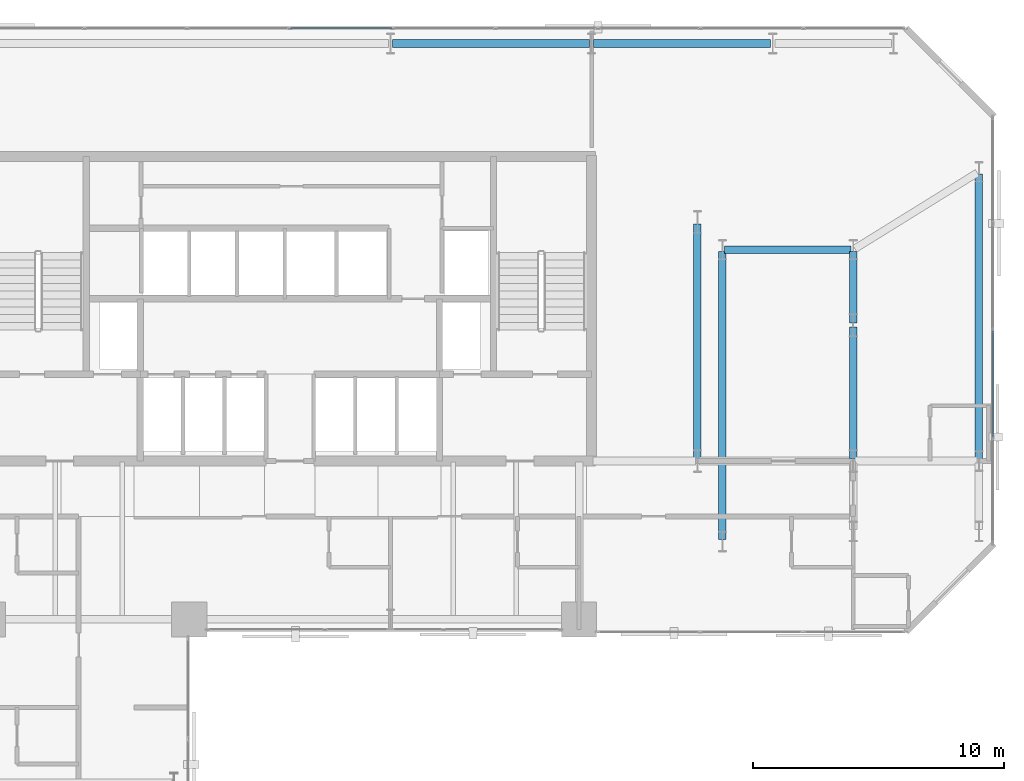
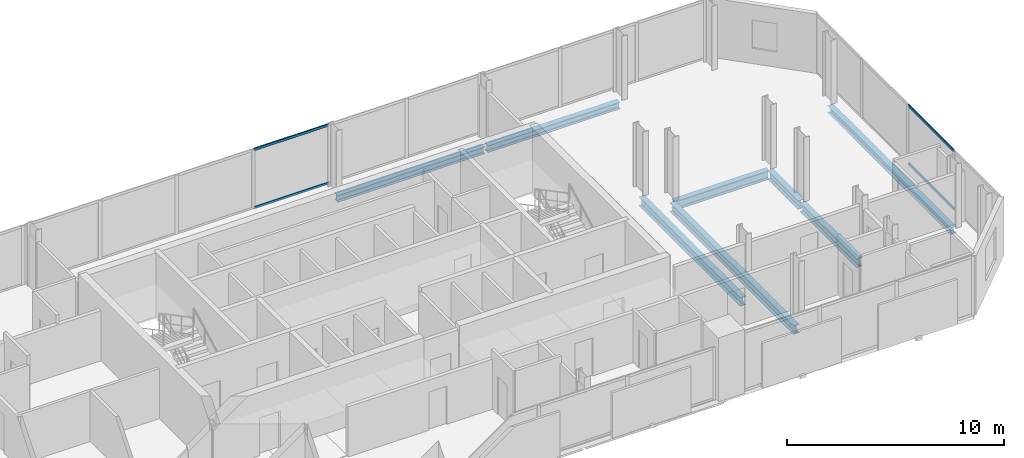
# One storey, part 24 of 33: 8 beams, 4 members, 2 elements without a shape of their own.
"""IFC4 building model written with IfcOpenShell, lengths in metres."""

from ifc_helpers import new_model, si_unit, direction, frame, origin, origin_2d, place, context, subcontext, project, spatial, hollow_rectangle, i_section, extrude, material, layer, layer_set, material_profile, profile_set, type_object, element, aggregate, save


model = new_model("IFC4")

# Units and contexts
model_context = context("Model", 3, precision=1e-05, world=origin(), true_north=direction((0.0, 1.0)))
body_context = subcontext(model_context, "Body", "Model", "MODEL_VIEW")
ifc_project = project(units=[si_unit("LENGTHUNIT", "METRE"), si_unit("AREAUNIT", "SQUARE_METRE"), si_unit("VOLUMEUNIT", "CUBIC_METRE"), si_unit("PLANEANGLEUNIT", "RADIAN"), si_unit("MASSUNIT", "GRAM", prefix="KILO")], contexts=[model_context])

# Site, building, storey
site_placement = place(None, origin())
site = spatial("IfcSite", under=ifc_project, at=site_placement, CompositionType="ELEMENT")
building_placement = place(site_placement, origin())
building = spatial("IfcBuilding", under=site, at=building_placement, Name="Catumbela Crestline Tower", CompositionType="ELEMENT")
storey_placement = place(building_placement, frame((0.0, 0.0, 47.4)))
storey = spatial("IfcBuildingStorey", under=building, at=storey_placement, Name="L11", CompositionType="ELEMENT", Elevation=47.4)

# Beams
ifc_material_1 = material(Name="Structural steel S355J2", Category="steel")
ifc_material_profile_1 = material_profile(ifc_material_1, i_section(OverallWidth=0.3, OverallDepth=0.5, WebThickness=0.0145, FlangeThickness=0.028, FilletRadius=0.027, at=origin_2d()), Name="HEB 500")
ifc_profile_set_1 = profile_set([ifc_material_profile_1], Name="Structural steel S355J2")
beam_type_1 = type_object("IfcBeamType", Name="BG-HEB500", PredefinedType="BEAM", material=ifc_profile_set_1)
beam_1_placement = place(storey_placement, frame((45.28, 39.2, -0.51), z_axis=(1.0, 0.0, 0.0), x_axis=(0.0, 1.0, 0.0)))
element("IfcBeam", 1, at=beam_1_placement, inside=storey, type_object=beam_type_1, Name="L11 Beam BM-L11-N17", PredefinedType="BEAM", context=body_context, shape_type="SweptSolid", body=[
    extrude(i_section(OverallWidth=0.3, OverallDepth=0.5, WebThickness=0.0145, FlangeThickness=0.028, FilletRadius=0.027, at=origin_2d()), origin(), (0.0, 0.0, 1.0), 5.04),
])
beam_2_placement = place(storey_placement, frame((44.2, 30.88, -0.51), z_axis=(0.0, 1.0, 0.0), x_axis=(-1.0, 0.0, 0.0)))
element("IfcBeam", 2, at=beam_2_placement, inside=storey, type_object=beam_type_1, Name="L11 Beam BM-L11-SN35", PredefinedType="BEAM", context=body_context, shape_type="SweptSolid", body=[
    extrude(i_section(OverallWidth=0.3, OverallDepth=0.5, WebThickness=0.0145, FlangeThickness=0.028, FilletRadius=0.027, at=origin_2d()), origin(), (0.0, 0.0, 1.0), 9.34),
])
beam_3_placement = place(storey_placement, frame((45.2, 27.68, -0.51), z_axis=(0.0, 1.0, 0.0), x_axis=(-1.0, 0.0, 0.0)))
element("IfcBeam", 3, at=beam_3_placement, inside=storey, type_object=beam_type_1, Name="L11 Beam BM-L11-SN36", PredefinedType="BEAM", context=body_context, shape_type="SweptSolid", body=[
    extrude(i_section(OverallWidth=0.3, OverallDepth=0.5, WebThickness=0.0145, FlangeThickness=0.028, FilletRadius=0.027, at=origin_2d()), origin(), (0.0, 0.0, 1.0), 11.44),
])
beam_4_placement = place(storey_placement, frame((50.4, 30.88, -0.51), z_axis=(0.0, 1.0, 0.0), x_axis=(-1.0, 0.0, 0.0)))
element("IfcBeam", 4, at=beam_4_placement, inside=storey, type_object=beam_type_1, Name="L11 Beam BM-L11-SN38", PredefinedType="BEAM", context=body_context, shape_type="SweptSolid", body=[
    extrude(i_section(OverallWidth=0.3, OverallDepth=0.5, WebThickness=0.0145, FlangeThickness=0.028, FilletRadius=0.027, at=origin_2d()), origin(), (0.0, 0.0, 1.0), 5.24),
])
beam_5_placement = place(storey_placement, frame((50.4, 36.28, -0.51), z_axis=(0.0, 1.0, 0.0), x_axis=(-1.0, 0.0, 0.0)))
element("IfcBeam", 5, at=beam_5_placement, inside=storey, type_object=beam_type_1, Name="L11 Beam BM-L11-SN39", PredefinedType="BEAM", context=body_context, shape_type="SweptSolid", body=[
    extrude(i_section(OverallWidth=0.3, OverallDepth=0.5, WebThickness=0.0145, FlangeThickness=0.028, FilletRadius=0.027, at=origin_2d()), origin(), (0.0, 0.0, 1.0), 2.84),
])
ifc_material_profile_2 = material_profile(ifc_material_1, i_section(OverallWidth=0.3, OverallDepth=0.39, WebThickness=0.011, FlangeThickness=0.019, FilletRadius=0.027, at=origin_2d()), Name="HEA 400")
ifc_profile_set_2 = profile_set([ifc_material_profile_2], Name="Structural steel S355J2")
beam_type_2 = type_object("IfcBeamType", Name="BS-HEA400", PredefinedType="SPANDREL", material=ifc_profile_set_2)
beam_6_placement = place(storey_placement, frame((32.08, 47.4, -0.455), z_axis=(1.0, 0.0, 0.0), x_axis=(0.0, 1.0, 0.0)))
element("IfcBeam", 6, at=beam_6_placement, inside=storey, type_object=beam_type_2, Name="L11 Spandrel SP-L11-NF22", PredefinedType="SPANDREL", context=body_context, shape_type="SweptSolid", body=[
    extrude(i_section(OverallWidth=0.3, OverallDepth=0.39, WebThickness=0.011, FlangeThickness=0.019, FilletRadius=0.027, at=origin_2d()), origin(), (0.0, 0.0, 1.0), 7.84),
])
beam_7_placement = place(storey_placement, frame((40.08, 47.4, -0.455), z_axis=(1.0, 0.0, 0.0), x_axis=(0.0, 1.0, 0.0)))
element("IfcBeam", 7, at=beam_7_placement, inside=storey, type_object=beam_type_2, Name="L11 Spandrel SP-L11-NF23", PredefinedType="SPANDREL", context=body_context, shape_type="SweptSolid", body=[
    extrude(i_section(OverallWidth=0.3, OverallDepth=0.39, WebThickness=0.011, FlangeThickness=0.019, FilletRadius=0.027, at=origin_2d()), origin(), (0.0, 0.0, 1.0), 7.04),
])
beam_8_placement = place(storey_placement, frame((55.4, 30.88, -0.455), z_axis=(0.0, 1.0, 0.0), x_axis=(-1.0, 0.0, 0.0)))
element("IfcBeam", 8, at=beam_8_placement, inside=storey, type_object=beam_type_2, Name="L11 Spandrel SP-L11-SN41", PredefinedType="SPANDREL", context=body_context, shape_type="SweptSolid", body=[
    extrude(i_section(OverallWidth=0.3, OverallDepth=0.39, WebThickness=0.011, FlangeThickness=0.019, FilletRadius=0.027, at=origin_2d()), origin(), (0.0, 0.0, 1.0), 11.34),
])

# Curtain wall, members
ifc_material_2 = material(Name="Aluminium alloy AW-6060-T66", Category="aluminium")
ifc_layer = layer(ifc_material_2, 0.18, Name="Aluminium alloy AW-6060-T66")
ifc_layer_set = layer_set([ifc_layer], Name="Aluminium alloy AW-6060-T66")
curtain_wall_type = type_object("IfcCurtainWallType", Name="CWU-Z1", PredefinedType="USERDEFINED", material=ifc_layer_set)
curtain_wall_1_placement = place(storey_placement, origin())
curtain_wall_1 = element("IfcCurtainWall", 9, at=curtain_wall_1_placement, inside=storey, type_object=curtain_wall_type, Name="L11 Unitised Curtain Wall CW-L11-E5S1", ObjectType="UNITISED", PredefinedType="USERDEFINED")
ifc_material_profile_3 = material_profile(ifc_material_2, hollow_rectangle(XDim=0.06, YDim=0.14, WallThickness=0.004, at=origin_2d()), Name="ALU 140x60x4")
ifc_profile_set_3 = profile_set([ifc_material_profile_3], Name="Aluminium alloy AW-6060-T66")
member_type = type_object("IfcMemberType", Name="TRN-140X60", PredefinedType="USERDEFINED", material=ifc_profile_set_3)
member_1_placement = place(storey_placement, frame((55.95, 31.7825, 0.03), z_axis=(0.0, 1.0, 0.0), x_axis=(-1.0, 0.0, 0.0)))
member_1 = element("IfcMember", 10, at=member_1_placement, type_object=member_type, Name="CWU-Z1 transom 2.1", ObjectType="TRANSOM", PredefinedType="USERDEFINED", context=body_context, shape_type="SweptSolid", body=[
    extrude(hollow_rectangle(XDim=0.06, YDim=0.14, WallThickness=0.004, at=origin_2d()), origin(), (0.0, 0.0, 1.0), 4.185),
])
member_2_placement = place(storey_placement, frame((55.95, 31.7825, 3.3), z_axis=(0.0, 1.0, 0.0), x_axis=(-1.0, 0.0, 0.0)))
member_2 = element("IfcMember", 11, at=member_2_placement, type_object=member_type, Name="CWU-Z1 transom 2.2", ObjectType="TRANSOM", PredefinedType="USERDEFINED", context=body_context, shape_type="SweptSolid", body=[
    extrude(hollow_rectangle(XDim=0.06, YDim=0.14, WallThickness=0.004, at=origin_2d()), origin(), (0.0, 0.0, 1.0), 4.185),
])
aggregate(curtain_wall_1, [member_1, member_2])

curtain_wall_2_placement = place(storey_placement, origin())
curtain_wall_2 = element("IfcCurtainWall", 12, at=curtain_wall_2_placement, inside=storey, type_object=curtain_wall_type, Name="L11 Unitised Curtain Wall CW-L11-E7S1", ObjectType="UNITISED", PredefinedType="USERDEFINED")
member_3_placement = place(storey_placement, frame((32.0508, 48.0, 0.03), z_axis=(-1.0, 0.0, 0.0), x_axis=(0.0, -1.0, 0.0)))
member_3 = element("IfcMember", 13, at=member_3_placement, type_object=member_type, Name="CWU-Z1 transom 6.1", ObjectType="TRANSOM", PredefinedType="USERDEFINED", context=body_context, shape_type="SweptSolid", body=[
    extrude(hollow_rectangle(XDim=0.06, YDim=0.14, WallThickness=0.004, at=origin_2d()), origin(), (0.0, 0.0, 1.0), 4.0183),
])
member_4_placement = place(storey_placement, frame((32.0508, 48.0, 3.3), z_axis=(-1.0, 0.0, 0.0), x_axis=(0.0, -1.0, 0.0)))
member_4 = element("IfcMember", 14, at=member_4_placement, type_object=member_type, Name="CWU-Z1 transom 6.2", ObjectType="TRANSOM", PredefinedType="USERDEFINED", context=body_context, shape_type="SweptSolid", body=[
    extrude(hollow_rectangle(XDim=0.06, YDim=0.14, WallThickness=0.004, at=origin_2d()), origin(), (0.0, 0.0, 1.0), 4.0183),
])
aggregate(curtain_wall_2, [member_3, member_4])

save(model, "model.ifc")
